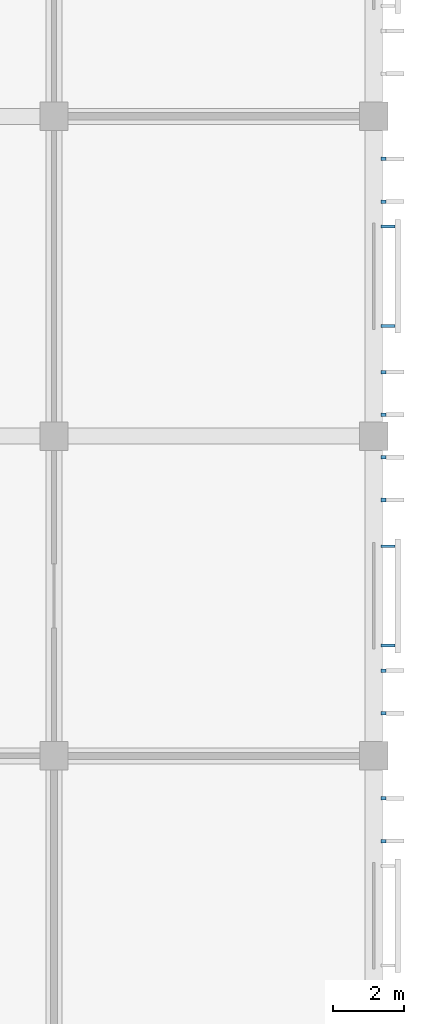
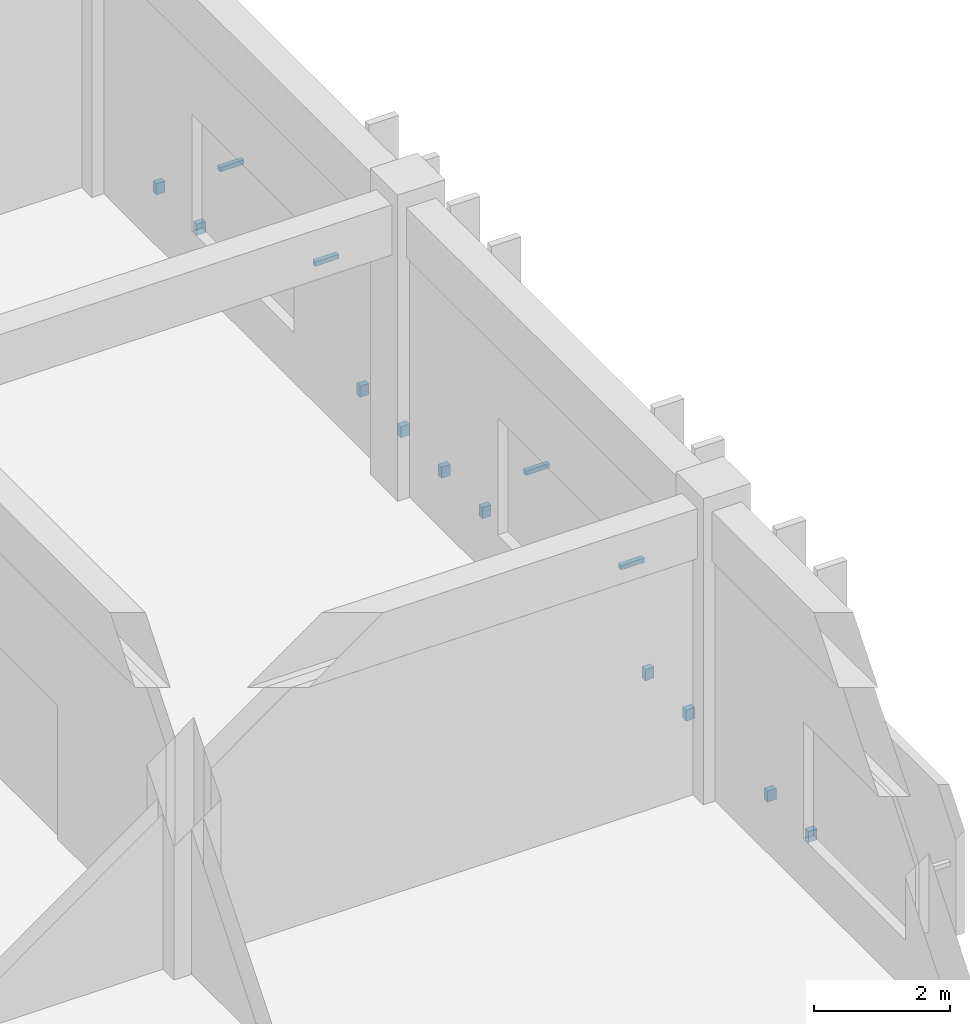
# One storey, part 159 of 185: 14 discrete accessories.
"""IFC4 building model written with IfcOpenShell, lengths in metres."""

from ifc_helpers import new_model, si_unit, direction, frame, origin, origin_2d, place, context, subcontext, project, spatial, rectangle, extrude, material, type_object, element, save


model = new_model("IFC4")

# Units and contexts
model_context = context("Model", 3, precision=1e-05, world=origin(), true_north=direction((0.0, 1.0)))
body_context = subcontext(model_context, "Body", "Model", "MODEL_VIEW")
ifc_project = project(units=[si_unit("LENGTHUNIT", "METRE"), si_unit("AREAUNIT", "SQUARE_METRE"), si_unit("VOLUMEUNIT", "CUBIC_METRE"), si_unit("PLANEANGLEUNIT", "RADIAN"), si_unit("MASSUNIT", "GRAM", prefix="KILO")], contexts=[model_context])

# Site, building, storey
site_placement = place(None, origin())
site = spatial("IfcSite", under=ifc_project, at=site_placement, CompositionType="ELEMENT")
building_placement = place(site_placement, origin())
building = spatial("IfcBuilding", under=site, at=building_placement, Name="Opaline Strait Convention Centre", CompositionType="ELEMENT")
storey_placement = place(building_placement, frame((0.0, 0.0, 6.0)))
storey = spatial("IfcBuildingStorey", under=building, at=storey_placement, Name="L01", CompositionType="ELEMENT", Elevation=6.0)

# Discrete accessories
ifc_material = material(Name="Stainless steel 304", Category="steel")
discrete_accessory_type_1 = type_object("IfcDiscreteAccessoryType", Name="Fin bracket 150 stainless steel", PredefinedType="BRACKET", material=ifc_material)
for number, where, z_axis, x_axis, name in (
    (1, (360.27490234375, 114.60009765625, 0.35009765625), (0.0, 0.0, 1.0), (1.0, 0.0, 0.0), "Fin bracket"),
    (2, (360.27490234375, 115.800048828125, 0.35009765625), (0.0, 0.0, 1.0), (1.0, 0.0, 0.0), "Fin bracket"),
    (3, (360.27490234375, 118.199951171875, 0.35009765625), (0.0, 0.0, 1.0), (1.0, 0.0, 0.0), "Fin bracket"),
    (4, (360.27490234375, 119.39990234375, 0.35009765625), (0.0, 0.0, 1.0), (1.0, 0.0, 0.0), "Fin bracket"),
    (5, (360.27490234375, 124.199951171875, 0.35009765625), (0.0, 0.0, 1.0), (1.0, 0.0, 0.0), "Fin bracket"),
    (6, (360.27490234375, 125.39990234375, 0.35009765625), (0.0, 0.0, 1.0), (1.0, 0.0, 0.0), "Fin bracket"),
    (7, (360.27490234375, 126.60009765625, 0.35009765625), (0.0, 0.0, 1.0), (1.0, 0.0, 0.0), "Fin bracket"),
    (8, (360.27490234375, 127.800048828125, 0.35009765625), (0.0, 0.0, 1.0), (1.0, 0.0, 0.0), "Fin bracket"),
    (9, (360.27490234375, 132.60009765625, 0.35009765625), (0.0, 0.0, 1.0), (1.0, 0.0, 0.0), "Fin bracket"),
    (10, (360.27490234375, 133.800048828125, 0.35009765625), (0.0, 0.0, 1.0), (1.0, 0.0, 0.0), "Fin bracket"),
):
    element("IfcDiscreteAccessory", number, at=place(storey_placement, frame(where, z_axis=z_axis, x_axis=x_axis)), inside=storey, type_object=discrete_accessory_type_1, Name=name, PredefinedType="BRACKET", context=body_context, shape_type="SweptSolid", body=[
        extrude(rectangle(XDim=0.14990234375, YDim=0.10009765625, at=origin_2d()), origin(), (0.0, 0.0, 1.0), 0.199951171875),
    ])
discrete_accessory_type_2 = type_object("IfcDiscreteAccessoryType", Name="Louvre bracket 400 stainless steel", PredefinedType="BRACKET", material=ifc_material)
for number, where, z_axis, x_axis, name in (
    (11, (360.39990234375, 120.10009765625, 1.909912109375), (0.0, 0.0, 1.0), (1.0, 0.0, 0.0), "Louvre bracket"),
    (12, (360.39990234375, 122.89990234375, 1.909912109375), (0.0, 0.0, 1.0), (1.0, 0.0, 0.0), "Louvre bracket"),
    (13, (360.39990234375, 129.10009765625, 1.909912109375), (0.0, 0.0, 1.0), (1.0, 0.0, 0.0), "Louvre bracket"),
    (14, (360.39990234375, 131.89990234375, 1.909912109375), (0.0, 0.0, 1.0), (1.0, 0.0, 0.0), "Louvre bracket"),
):
    element("IfcDiscreteAccessory", number, at=place(storey_placement, frame(where, z_axis=z_axis, x_axis=x_axis)), inside=storey, type_object=discrete_accessory_type_2, Name=name, PredefinedType="BRACKET", context=body_context, shape_type="SweptSolid", body=[
        extrude(rectangle(XDim=0.39990234375, YDim=0.080078125, at=origin_2d()), origin(), (0.0, 0.0, 1.0), 0.080078125),
    ])

save(model, "model.ifc")
